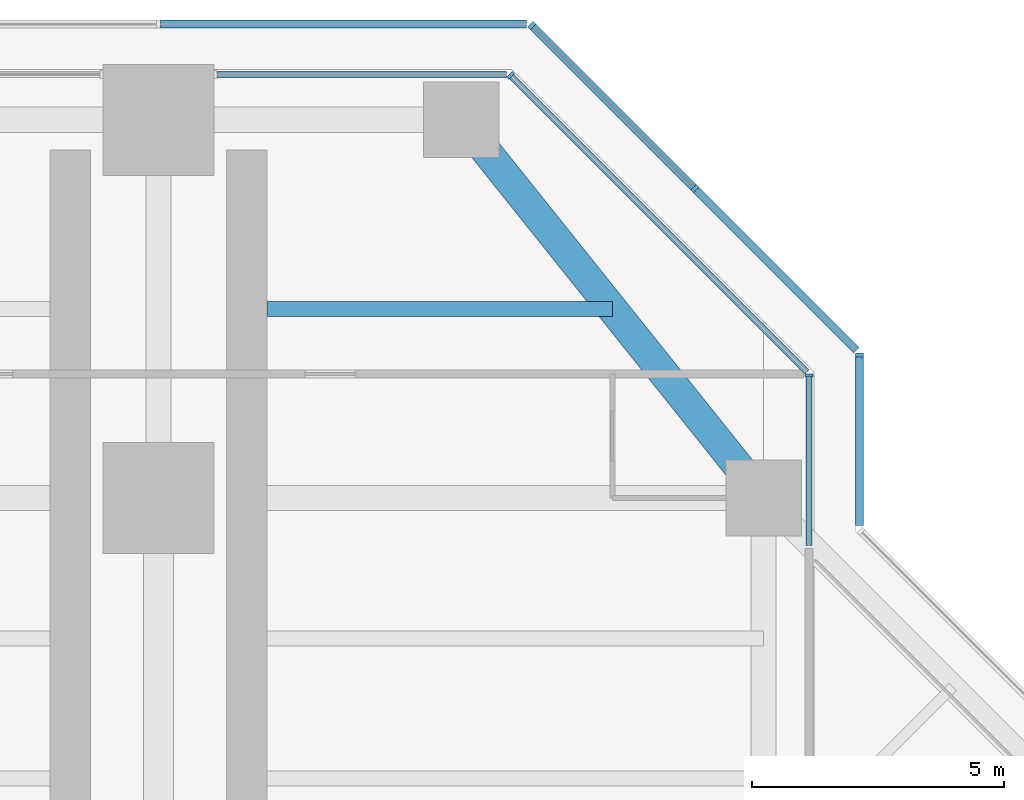
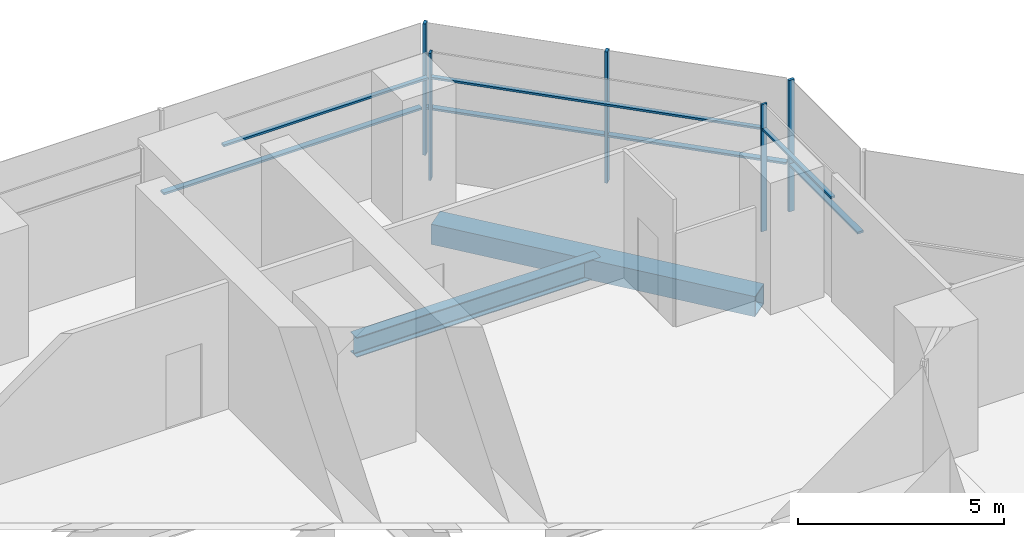
# One storey, part 9 of 17: 12 members, 2 beams, 6 elements without a shape of their own.
"""IFC4 building model written with IfcOpenShell, lengths in metres."""

import ifcopenshell
import ifcopenshell.guid

model = None  # the IFC model being written
_history = None  # IfcOwnerHistory: only IFC2X3 demands one
_inside = {}  # id of a spatial element -> (the spatial element, [elements in it])
_under = {}  # id of a project, library or spatial element -> (it, [spatial elements below it])
_declared = {}  # id of a project -> (the project, [libraries it declares])
_typed = {}  # id of a type object -> (the type object, [elements of that type])
_made_of = {}  # id of a material, layer set ... -> (it, [elements and type objects made of it])


def new_model(schema):
    """Start an empty IFC model of exactly this schema.

    Asked for "IFC4X3", IfcOpenShell would pick the latest addendum, in which some entities
    have other attributes; the version numbers below select the first issue.
    IFC2X3 requires an IfcOwnerHistory on every rooted entity: one is made here for all.
    """
    global model, _history
    if schema == "IFC4X3":
        model = ifcopenshell.file(schema_version=(4, 3, 0, 0))
    else:
        model = ifcopenshell.file(schema=schema)
    _inside.clear()
    _under.clear()
    _declared.clear()
    _typed.clear()
    _made_of.clear()
    _history = None
    if model.schema == "IFC2X3":
        org = make("IfcOrganization", Name="unknown")
        user = make(
            "IfcPersonAndOrganization",
            ThePerson=make("IfcPerson", FamilyName="unknown"),
            TheOrganization=org,
        )
        app = make(
            "IfcApplication",
            ApplicationDeveloper=org,
            Version="unknown",
            ApplicationFullName="unknown",
            ApplicationIdentifier="unknown",
        )
        _history = make(
            "IfcOwnerHistory",
            OwningUser=user,
            OwningApplication=app,
            ChangeAction="ADDED",
            CreationDate=0,
        )
    return model


def make(cls, **values):
    """One entity of the class cls with the attributes given. An attribute that is None is left unset."""
    return model.create_entity(
        cls, **{name: value for name, value in values.items() if value is not None}
    )


def rooted(cls, **values):
    """An entity with a GlobalId (a new one), such as an element, a storey or a relation."""
    return make(cls, GlobalId=ifcopenshell.guid.new(), OwnerHistory=_history, **values)


def si_unit(unit_type, name, prefix=None):
    """IfcSIUnit, for example si_unit("LENGTHUNIT", "METRE", prefix="MILLI")."""
    return make("IfcSIUnit", UnitType=unit_type, Prefix=prefix, Name=name)


def assignment(units):
    """IfcUnitAssignment: the units of a project."""
    return None if units is None else make("IfcUnitAssignment", Units=units)


def point(xyz):
    """IfcCartesianPoint."""
    return None if xyz is None else make("IfcCartesianPoint", Coordinates=xyz)


def direction(xyz):
    """IfcDirection."""
    return None if xyz is None else make("IfcDirection", DirectionRatios=xyz)


def frame(location, z_axis=None, x_axis=None):
    """IfcAxis2Placement3D, a coordinate frame: its origin and axes. An axis left out is left unset."""
    return make(
        "IfcAxis2Placement3D",
        Location=point(location),
        Axis=direction(z_axis),
        RefDirection=direction(x_axis),
    )


def frame_2d(location, x_axis=None):
    """IfcAxis2Placement2D, a coordinate frame in the plane: its origin and x axis."""
    return make(
        "IfcAxis2Placement2D", Location=point(location), RefDirection=direction(x_axis)
    )


def origin():
    """The frame at (0, 0, 0) with its axes left unset."""
    return frame((0.0, 0.0, 0.0))


def origin_2d():
    """The frame at (0, 0) in the plane with its x axis left unset."""
    return frame_2d((0.0, 0.0))


def place(relative_to, where):
    """IfcLocalPlacement: puts the frame where relative to a parent placement (None: the world)."""
    return make(
        "IfcLocalPlacement", PlacementRelTo=relative_to, RelativePlacement=where
    )


def context(
    kind, dimensions, precision=None, world=None, true_north=None, identifier=None
):
    """IfcGeometricRepresentationContext, for example the 3D "Model" context."""
    return make(
        "IfcGeometricRepresentationContext",
        ContextIdentifier=identifier,
        ContextType=kind,
        CoordinateSpaceDimension=dimensions,
        Precision=precision,
        WorldCoordinateSystem=world,
        TrueNorth=true_north,
    )


def subcontext(parent, identifier, kind, view, scale=None):
    """IfcGeometricRepresentationSubContext, for example "Body" below "Model"."""
    return make(
        "IfcGeometricRepresentationSubContext",
        ContextIdentifier=identifier,
        ContextType=kind,
        ParentContext=parent,
        TargetScale=scale,
        TargetView=view,
    )


def project(units=None, contexts=None):
    """IfcProject with its units and contexts."""
    return rooted(
        "IfcProject",
        Name="project",
        RepresentationContexts=contexts,
        UnitsInContext=assignment(units),
    )


def spatial(cls, under=None, at=None, **own):
    """A site, building, storey or space (cls), placed at a placement, below another one or the project."""
    s = rooted(cls, ObjectPlacement=at, **own)
    if under is not None:
        _under.setdefault(under.id(), (under, []))[1].append(s)
    return s


def profile(cls, at=None, kind="AREA", **sizes):
    """A parametric profile (cls). Its sizes go by their IFC names, for example OverallWidth=200.0."""
    return make(cls, ProfileType=kind, Position=at, **sizes)


def rectangle(**sizes):
    """IfcRectangleProfileDef."""
    return profile("IfcRectangleProfileDef", **sizes)


def hollow_rectangle(**sizes):
    """IfcRectangleHollowProfileDef."""
    return profile("IfcRectangleHollowProfileDef", **sizes)


def i_section(**sizes):
    """IfcIShapeProfileDef."""
    return profile("IfcIShapeProfileDef", **sizes)


def extrude(swept, where, along, depth):
    """IfcExtrudedAreaSolid: the profile swept, set in the frame where, extruded along a direction by depth."""
    return make(
        "IfcExtrudedAreaSolid",
        SweptArea=swept,
        Position=where,
        ExtrudedDirection=direction(along),
        Depth=depth,
    )


def shape(context_of_items, identifier, shape_type, items):
    """IfcShapeRepresentation: the items that make up one representation, for example the "Body"."""
    return make(
        "IfcShapeRepresentation",
        ContextOfItems=context_of_items,
        RepresentationIdentifier=identifier,
        RepresentationType=shape_type,
        Items=items,
    )


def material(Name=None, Category=None):
    """IfcMaterial."""
    return make("IfcMaterial", Name=Name, Category=Category)


def material_profile(
    of_material, cross_section, Name=None, Category=None, Priority=None
):
    """IfcMaterialProfile: a cross section and its material."""
    return make(
        "IfcMaterialProfile",
        Name=Name,
        Material=of_material,
        Profile=cross_section,
        Priority=Priority,
        Category=Category,
    )


def profile_set(profiles, Name=None, composite=None):
    """IfcMaterialProfileSet."""
    return make(
        "IfcMaterialProfileSet",
        Name=Name,
        MaterialProfiles=profiles,
        CompositeProfile=composite,
    )


def made_of(thing, what):
    """Note that an element or type object is made of a material, layer set ...; save() writes the relation."""
    if what is not None:
        _made_of.setdefault(what.id(), (what, []))[1].append(thing)
    return thing


def type_object(cls, material=None, **own):
    """A type object (cls), such as IfcWallType, which elements share."""
    return made_of(rooted(cls, **own), material)


def element(
    cls,
    number,
    at=None,
    inside=None,
    cuts=None,
    type_object=None,
    material=None,
    context=None,
    identifier="Body",
    shape_type=None,
    held_by="IfcProductDefinitionShape",
    body=None,
    shapes=None,
    **own,
):
    """One element of the class cls, such as IfcWall. Its Tag is "e" and its number.

    at: its placement. inside: the storey or other place that contains it. cuts: it is an
    opening in that element (IfcRelVoidsElement). A single representation is given by context,
    identifier, shape_type and body (its items); several are given by shapes. held_by: the class
    of the entity that holds the representations. save() writes the other relations.
    """
    e = rooted(cls, Tag="e%d" % number, ObjectPlacement=at, **own)
    if body is not None:
        shapes = [shape(context, identifier, shape_type, body)]
    if shapes is not None:
        e.Representation = make(held_by, Representations=shapes)
    if inside is not None:
        _inside.setdefault(inside.id(), (inside, []))[1].append(e)
    if cuts is not None:
        rooted(
            "IfcRelVoidsElement", RelatingBuildingElement=cuts, RelatedOpeningElement=e
        )
    if type_object is not None:
        _typed.setdefault(type_object.id(), (type_object, []))[1].append(e)
    return made_of(e, material)


def aggregate(whole, parts):
    """IfcRelAggregates: a whole, such as a stair, and the parts it consists of."""
    return rooted("IfcRelAggregates", RelatingObject=whole, RelatedObjects=parts)


def save(model, path):
    """Write the relations noted so far, then the file.

    IfcRelAggregates (storeys below a building ...), IfcRelContainedInSpatialStructure (elements
    in a storey), IfcRelDefinesByType, IfcRelAssociatesMaterial and IfcRelDeclares: one each for
    every whole, place, type object, material and project.
    """
    for whole, parts in _under.values():
        aggregate(whole, parts)
    for where, things in _inside.values():
        rooted(
            "IfcRelContainedInSpatialStructure",
            RelatedElements=things,
            RelatingStructure=where,
        )
    for kind, things in _typed.values():
        rooted("IfcRelDefinesByType", RelatedObjects=things, RelatingType=kind)
    for what, things in _made_of.values():
        rooted("IfcRelAssociatesMaterial", RelatedObjects=things, RelatingMaterial=what)
    for by, libraries in _declared.values():
        rooted("IfcRelDeclares", RelatingContext=by, RelatedDefinitions=libraries)
    model.write(path)


model = new_model("IFC4")

# Units and contexts
model_context = context("Model", 3, precision=1e-05, world=origin(), true_north=direction((0.0, 1.0)))
body_context = subcontext(model_context, "Body", "Model", "MODEL_VIEW")
ifc_project = project(units=[si_unit("LENGTHUNIT", "METRE"), si_unit("AREAUNIT", "SQUARE_METRE"), si_unit("VOLUMEUNIT", "CUBIC_METRE"), si_unit("PLANEANGLEUNIT", "RADIAN"), si_unit("MASSUNIT", "GRAM", prefix="KILO")], contexts=[model_context])

# Site, building, storey
site_placement = place(None, origin())
site = spatial("IfcSite", under=ifc_project, at=site_placement, CompositionType="ELEMENT")
building_placement = place(site_placement, origin())
building = spatial("IfcBuilding", under=site, at=building_placement, Name="Mizan Broadcast Tower", CompositionType="ELEMENT")
storey_placement = place(building_placement, frame((0.0, 0.0, 224.39990234375)))
storey = spatial("IfcBuildingStorey", under=building, at=storey_placement, Name="L52", CompositionType="ELEMENT", Elevation=224.39990234375)

# Beam
ifc_material_1 = material(Name="Steel S355", Category="steel")
ifc_material_profile_1 = material_profile(ifc_material_1, hollow_rectangle(XDim=0.60009765625, YDim=0.60009765625, WallThickness=0.030029296875, at=origin_2d()), Name="BOX 600x600x30")
ifc_profile_set_1 = profile_set([ifc_material_profile_1], Name="Steel S355")
beam_type_1 = type_object("IfcBeamType", Name="EDGE BEAM BOX 600x600x30", PredefinedType="SPANDREL", material=ifc_profile_set_1)
beam_1_placement = place(storey_placement, frame((11.639892578125, 19.949951171875, -0.429931640625), z_axis=(-0.624673911726, 0.780885717636, 0.0), x_axis=(-0.780885717636, -0.624673911726, 0.0)))
element("IfcBeam", 1, at=beam_1_placement, inside=storey, type_object=beam_type_1, Name="Edge beam BOX 600x600x30 L52 north arm", PredefinedType="SPANDREL", context=body_context, shape_type="SweptSolid", body=[
    extrude(hollow_rectangle(XDim=0.60009765625, YDim=0.60009765625, WallThickness=0.030029296875, at=origin_2d()), origin(), (0.0, 0.0, 1.0), 8.4521484375),
])

# Curtain wall, member
ifc_material_2 = material(Name="Aluminium framed glazing", Category="aluminium")
curtain_wall_type_1 = type_object("IfcCurtainWallType", Name="INNER SKIN HIGH ZONE", PredefinedType="USERDEFINED", material=ifc_material_2)
curtain_wall_1_placement = place(storey_placement, origin())
curtain_wall_1 = element("IfcCurtainWall", 2, at=curtain_wall_1_placement, inside=storey, type_object=curtain_wall_type_1, Name="Inner skin high zone L52 N side", ObjectType="INNER SKIN HIGH ZONE", PredefinedType="USERDEFINED")
ifc_material_3 = material(Name="Aluminium, pale anodised", Category="aluminium")
ifc_material_profile_2 = material_profile(ifc_material_3, rectangle(XDim=0.159912109375, YDim=0.06005859375, at=origin_2d()), Name="MULLION 160x60")
ifc_profile_set_2 = profile_set([ifc_material_profile_2], Name="Aluminium, pale anodised")
member_type_1 = type_object("IfcMemberType", Name="INNER SKIN MULLION 60x160", PredefinedType="MULLION", material=ifc_profile_set_2)
member_1_placement = place(storey_placement, frame((12.89990234375, 21.928466796875, 0.0), z_axis=(0.0, 0.0, 1.0), x_axis=(-1.0, 0.0, 0.0)))
member_1 = element("IfcMember", 3, at=member_1_placement, type_object=member_type_1, Name="Inner skin high zone L52 N side mullion 2", PredefinedType="MULLION", context=body_context, shape_type="SweptSolid", body=[
    extrude(rectangle(XDim=0.159912109375, YDim=0.06005859375, at=origin_2d()), origin(), (0.0, 0.0, 1.0), 3.77001953125),
])

curtain_wall_2_placement = place(storey_placement, origin())
curtain_wall_2 = element("IfcCurtainWall", 4, at=curtain_wall_2_placement, inside=storey, type_object=curtain_wall_type_1, Name="Inner skin high zone L52 N chamfer", ObjectType="INNER SKIN HIGH ZONE", PredefinedType="USERDEFINED")
member_2_placement = place(storey_placement, frame((6.979736328125, 27.87890625, 0.0), z_axis=(0.0, 0.0, 1.0), x_axis=(-0.707106781187, -0.707106781187, 0.0)))
member_2 = element("IfcMember", 5, at=member_2_placement, type_object=member_type_1, Name="Inner skin high zone L52 N chamfer mullion 2", PredefinedType="MULLION", context=body_context, shape_type="SweptSolid", body=[
    extrude(rectangle(XDim=0.159912109375, YDim=0.06005859375, at=origin_2d()), origin(), (0.0, 0.0, 1.0), 3.77001953125),
])

# Member
ifc_material_4 = material(Name="Aluminium, pale anodised", Category="aluminium")
ifc_material_profile_3 = material_profile(ifc_material_4, rectangle(XDim=0.1201171875, YDim=0.06005859375, at=origin_2d()), Name="TRANSOM 120x60")
ifc_profile_set_3 = profile_set([ifc_material_profile_3], Name="Aluminium, pale anodised")
member_type_2 = type_object("IfcMemberType", Name="INNER SKIN TRANSOM 60x120", PredefinedType="USERDEFINED", material=ifc_profile_set_3)
member_3_placement = place(storey_placement, frame((12.89990234375, 18.56005859375, 3.030029296875), z_axis=(0.0, 1.0, 0.0), x_axis=(-1.0, 0.0, 0.0)))
member_3 = element("IfcMember", 6, at=member_3_placement, type_object=member_type_2, Name="Inner skin high zone L52 N side transom 1.1", ObjectType="TRANSOM", PredefinedType="USERDEFINED", context=body_context, shape_type="SweptSolid", body=[
    extrude(rectangle(XDim=0.1201171875, YDim=0.06005859375, at=origin_2d()), origin(), (0.0, 0.0, 1.0), 3.338623046875),
])

aggregate(curtain_wall_1, [member_1, member_3])

member_4_placement = place(storey_placement, frame((12.857666015625, 22.0009765625, 3.030029296875), z_axis=(-0.707106781187, 0.707106781187, 0.0), x_axis=(-0.707106781187, -0.707106781187, 0.0)))
member_4 = element("IfcMember", 7, at=member_4_placement, type_object=member_type_2, Name="Inner skin high zone L52 N chamfer transom 1.1", ObjectType="TRANSOM", PredefinedType="USERDEFINED", context=body_context, shape_type="SweptSolid", body=[
    extrude(rectangle(XDim=0.1201171875, YDim=0.06005859375, at=origin_2d()), origin(), (0.0, 0.0, 1.0), 8.28271484375),
])

aggregate(curtain_wall_2, [member_2, member_4])

# Curtain wall, member
curtain_wall_3_placement = place(storey_placement, origin())
curtain_wall_3 = element("IfcCurtainWall", 8, at=curtain_wall_3_placement, inside=storey, type_object=curtain_wall_type_1, Name="Inner skin high zone L52 N end", ObjectType="INNER SKIN HIGH ZONE", PredefinedType="USERDEFINED")
member_5_placement = place(storey_placement, frame((6.898681640625, 27.89990234375, 3.030029296875), z_axis=(-1.0, 0.0, 0.0), x_axis=(0.0, -1.0, 0.0)))
member_5 = element("IfcMember", 9, at=member_5_placement, type_object=member_type_2, Name="Inner skin high zone L52 N end transom 1.1", ObjectType="TRANSOM", PredefinedType="USERDEFINED", context=body_context, shape_type="SweptSolid", body=[
    extrude(rectangle(XDim=0.1201171875, YDim=0.06005859375, at=origin_2d()), origin(), (0.0, 0.0, 1.0), 5.73876953125),
])
aggregate(curtain_wall_3, [member_5])

ifc_material_5 = material(Name="Aluminium framed glazing", Category="aluminium")
curtain_wall_type_2 = type_object("IfcCurtainWallType", Name="OUTER SKIN", PredefinedType="USERDEFINED", material=ifc_material_5)
curtain_wall_4_placement = place(storey_placement, origin())
curtain_wall_4 = element("IfcCurtainWall", 10, at=curtain_wall_4_placement, inside=storey, type_object=curtain_wall_type_2, Name="Outer skin L52 N side", ObjectType="OUTER SKIN", PredefinedType="USERDEFINED")
ifc_material_6 = material(Name="Aluminium, pale anodised", Category="aluminium")
ifc_material_profile_4 = material_profile(ifc_material_6, rectangle(XDim=0.159912109375, YDim=0.080078125, at=origin_2d()), Name="MULLION 160x80")
ifc_profile_set_4 = profile_set([ifc_material_profile_4], Name="Aluminium, pale anodised")
member_type_3 = type_object("IfcMemberType", Name="OUTER SKIN MULLION 80x160", PredefinedType="MULLION", material=ifc_profile_set_4)
member_6_placement = place(storey_placement, frame((13.89990234375, 22.332763671875, 0.0), z_axis=(0.0, 0.0, 1.0), x_axis=(-1.0, 0.0, 0.0)))
member_6 = element("IfcMember", 11, at=member_6_placement, type_object=member_type_3, Name="Outer skin L52 N side mullion 2", PredefinedType="MULLION", context=body_context, shape_type="SweptSolid", body=[
    extrude(rectangle(XDim=0.159912109375, YDim=0.080078125, at=origin_2d()), origin(), (0.0, 0.0, 1.0), 3.900146484375),
])

# Curtain wall, members
curtain_wall_5_placement = place(storey_placement, origin())
curtain_wall_5 = element("IfcCurtainWall", 12, at=curtain_wall_5_placement, inside=storey, type_object=curtain_wall_type_2, Name="Outer skin L52 N chamfer", ObjectType="OUTER SKIN", PredefinedType="USERDEFINED")
member_7_placement = place(storey_placement, frame((10.636474609375, 25.636474609375, 0.0), z_axis=(0.0, 0.0, 1.0), x_axis=(-0.707106781187, -0.707106781187, 0.0)))
member_7 = element("IfcMember", 13, at=member_7_placement, type_object=member_type_3, Name="Outer skin L52 N chamfer mullion 2", PredefinedType="MULLION", context=body_context, shape_type="SweptSolid", body=[
    extrude(rectangle(XDim=0.159912109375, YDim=0.080078125, at=origin_2d()), origin(), (0.0, 0.0, 1.0), 3.900146484375),
])
member_8_placement = place(storey_placement, frame((7.401123046875, 28.871826171875, 0.0), z_axis=(0.0, 0.0, 1.0), x_axis=(-0.707106781187, -0.707106781187, 0.0)))
member_8 = element("IfcMember", 14, at=member_8_placement, type_object=member_type_3, Name="Outer skin L52 N chamfer mullion 3", PredefinedType="MULLION", context=body_context, shape_type="SweptSolid", body=[
    extrude(rectangle(XDim=0.159912109375, YDim=0.080078125, at=origin_2d()), origin(), (0.0, 0.0, 1.0), 3.900146484375),
])

# Member
ifc_material_7 = material(Name="Aluminium, pale anodised", Category="aluminium")
ifc_material_profile_5 = material_profile(ifc_material_7, rectangle(XDim=0.159912109375, YDim=0.06005859375, at=origin_2d()), Name="TRANSOM 160x60")
ifc_profile_set_5 = profile_set([ifc_material_profile_5], Name="Aluminium, pale anodised")
member_type_4 = type_object("IfcMemberType", Name="OUTER SKIN TRANSOM 60x160", PredefinedType="USERDEFINED", material=ifc_profile_set_5)
member_9_placement = place(storey_placement, frame((13.89990234375, 18.952880859375, 1.400146484375), z_axis=(0.0, 1.0, 0.0), x_axis=(-1.0, 0.0, 0.0)))
member_9 = element("IfcMember", 15, at=member_9_placement, type_object=member_type_4, Name="Outer skin L52 N side transom 1.1", ObjectType="TRANSOM", PredefinedType="USERDEFINED", context=body_context, shape_type="SweptSolid", body=[
    extrude(rectangle(XDim=0.159912109375, YDim=0.06005859375, at=origin_2d()), origin(), (0.0, 0.0, 1.0), 3.33984375),
])

aggregate(curtain_wall_4, [member_6, member_9])

member_10_placement = place(storey_placement, frame((13.843505859375, 22.429443359375, 1.400146484375), z_axis=(-0.707106781187, 0.707106781187, 0.0), x_axis=(-0.707106781187, -0.707106781187, 0.0)))
member_10 = element("IfcMember", 16, at=member_10_placement, type_object=member_type_4, Name="Outer skin L52 N chamfer transom 1.1", ObjectType="TRANSOM", PredefinedType="USERDEFINED", context=body_context, shape_type="SweptSolid", body=[
    extrude(rectangle(XDim=0.159912109375, YDim=0.06005859375, at=origin_2d()), origin(), (0.0, 0.0, 1.0), 4.495361328125),
])

member_11_placement = place(storey_placement, frame((10.608154296875, 25.664794921875, 1.400146484375), z_axis=(-0.707106781187, 0.707106781187, 0.0), x_axis=(-0.707106781187, -0.707106781187, 0.0)))
member_11 = element("IfcMember", 17, at=member_11_placement, type_object=member_type_4, Name="Outer skin L52 N chamfer transom 2.1", ObjectType="TRANSOM", PredefinedType="USERDEFINED", context=body_context, shape_type="SweptSolid", body=[
    extrude(rectangle(XDim=0.159912109375, YDim=0.06005859375, at=origin_2d()), origin(), (0.0, 0.0, 1.0), 4.495361328125),
])

aggregate(curtain_wall_5, [member_7, member_8, member_10, member_11])

# Curtain wall, member
curtain_wall_6_placement = place(storey_placement, origin())
curtain_wall_6 = element("IfcCurtainWall", 18, at=curtain_wall_6_placement, inside=storey, type_object=curtain_wall_type_2, Name="Outer skin L52 N end", ObjectType="OUTER SKIN", PredefinedType="USERDEFINED")
member_12_placement = place(storey_placement, frame((7.292724609375, 28.89990234375, 1.400146484375), z_axis=(-1.0, 0.0, 0.0), x_axis=(0.0, -1.0, 0.0)))
member_12 = element("IfcMember", 19, at=member_12_placement, type_object=member_type_4, Name="Outer skin L52 N end transom 1.1", ObjectType="TRANSOM", PredefinedType="USERDEFINED", context=body_context, shape_type="SweptSolid", body=[
    extrude(rectangle(XDim=0.159912109375, YDim=0.06005859375, at=origin_2d()), origin(), (0.0, 0.0, 1.0), 7.252685546875),
])
aggregate(curtain_wall_6, [member_12])

# Beam
ifc_material_8 = material(Name="Steel S355", Category="steel")
ifc_material_profile_6 = material_profile(ifc_material_8, i_section(OverallWidth=0.300048828125, OverallDepth=0.590087890625, WebThickness=0.012939453125, FlangeThickness=0.02490234375, FilletRadius=0.027099609375, at=origin_2d()), Name="HEA 600")
ifc_profile_set_6 = profile_set([ifc_material_profile_6], Name="Steel S355")
beam_type_2 = type_object("IfcBeamType", Name="SECONDARY BEAM HEA 600", PredefinedType="JOIST", material=ifc_profile_set_6)
beam_2_placement = place(storey_placement, frame((9.0, 23.25, -0.4248046875), z_axis=(-1.0, 0.0, 0.0), x_axis=(0.0, -1.0, 0.0)))
element("IfcBeam", 20, at=beam_2_placement, inside=storey, type_object=beam_type_2, Name="Secondary beam HEA 600 L52 north arm", PredefinedType="JOIST", context=body_context, shape_type="SweptSolid", body=[
    extrude(i_section(OverallWidth=0.300048828125, OverallDepth=0.590087890625, WebThickness=0.012939453125, FlangeThickness=0.02490234375, FilletRadius=0.027099609375, at=origin_2d()), origin(), (0.0, 0.0, 1.0), 6.85009765625),
])

save(model, "model.ifc")
